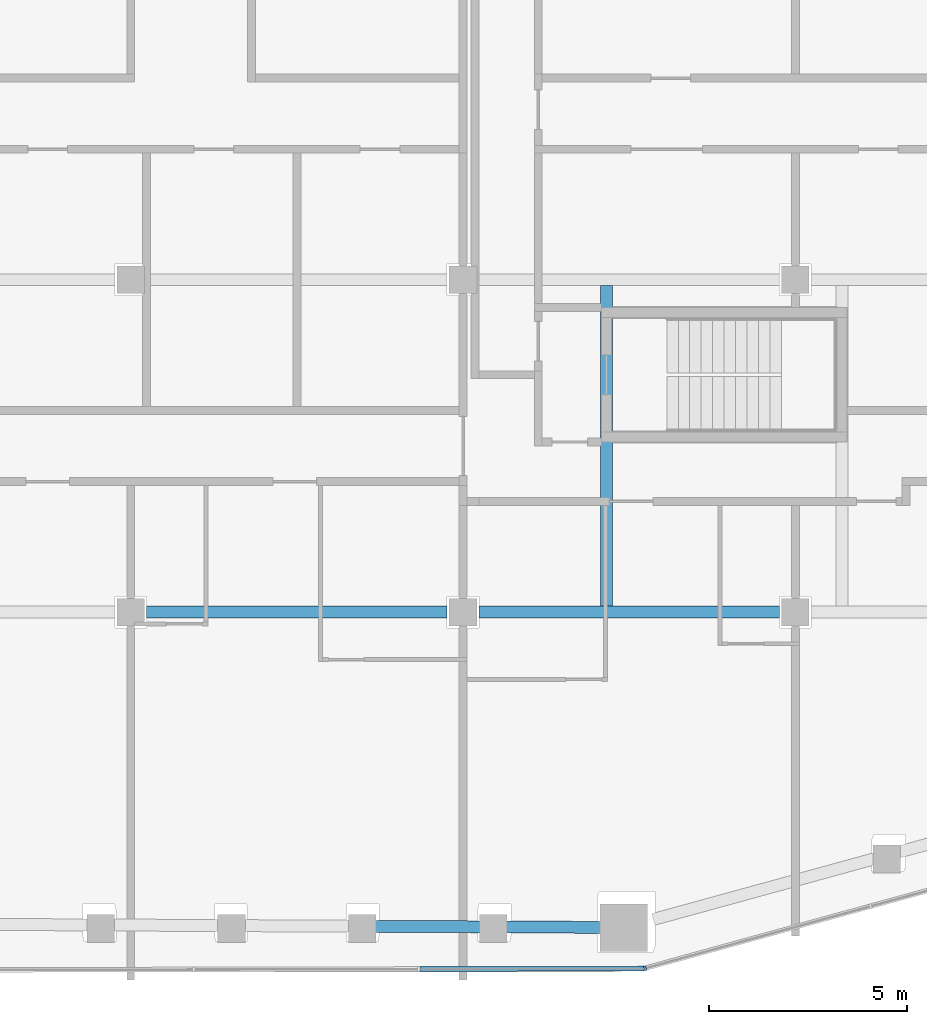
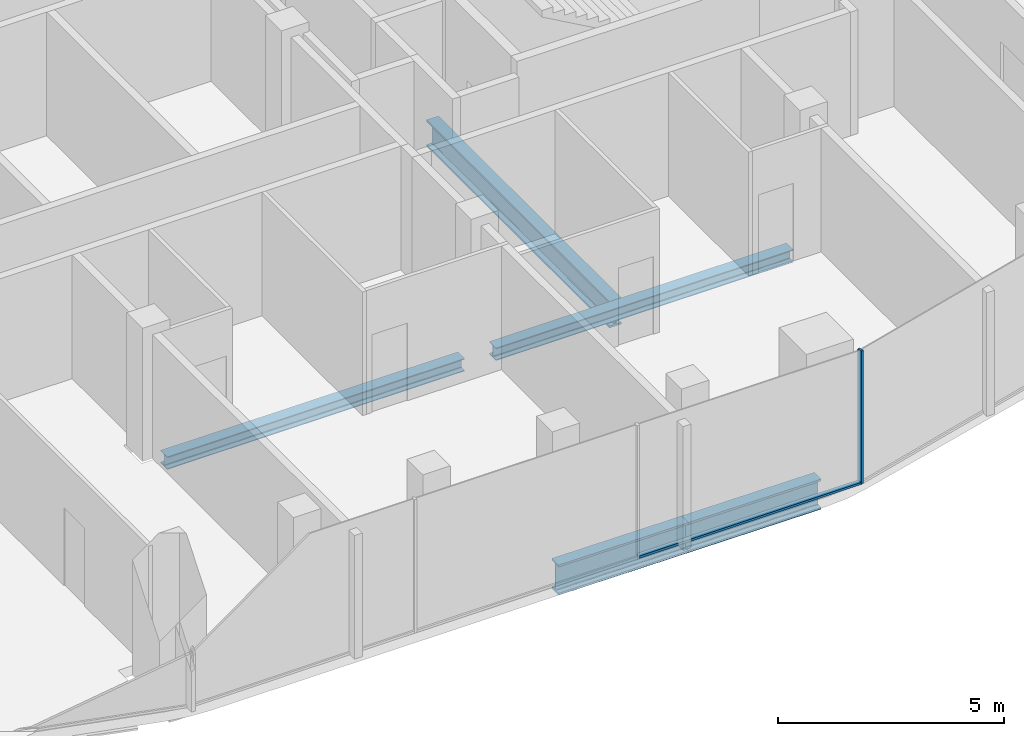
# One storey, part 3 of 21: 5 beams, 2 members, 2 elements without a shape of their own.
"""IFC4 building model written with IfcOpenShell, lengths in metres."""

from ifc_helpers import new_model, si_unit, direction, frame, origin, origin_2d, place, context, subcontext, project, spatial, rectangle, i_section, extrude, material, layer, layer_set, material_profile, profile_set, type_object, element, aggregate, save


model = new_model("IFC4")

# Units and contexts
model_context = context("Model", 3, precision=1e-05, world=origin(), true_north=direction((0.0, 1.0)))
body_context = subcontext(model_context, "Body", "Model", "MODEL_VIEW")
ifc_project = project(units=[si_unit("LENGTHUNIT", "METRE"), si_unit("AREAUNIT", "SQUARE_METRE"), si_unit("VOLUMEUNIT", "CUBIC_METRE"), si_unit("PLANEANGLEUNIT", "RADIAN"), si_unit("MASSUNIT", "GRAM", prefix="KILO")], contexts=[model_context])

# Site, building, storey
site_placement = place(None, origin())
site = spatial("IfcSite", under=ifc_project, at=site_placement, CompositionType="ELEMENT")
building_placement = place(site_placement, origin())
building = spatial("IfcBuilding", under=site, at=building_placement, Name="Marenta Gate Hotel Tower", CompositionType="ELEMENT")
storey_placement = place(building_placement, frame((0.0, 0.0, 266.89990234375)))
storey = spatial("IfcBuildingStorey", under=building, at=storey_placement, Name="L61", CompositionType="ELEMENT", Elevation=266.89990234375)

# Beams
ifc_material_1 = material(Name="Steel S355", Category="steel")
ifc_material_profile_1 = material_profile(ifc_material_1, i_section(OverallWidth=0.302978515625, OverallDepth=0.81396484375, WebThickness=0.030029296875, FlangeThickness=0.052001953125, FilletRadius=0.030029296875, at=origin_2d()), Name="HEM 800")
ifc_profile_set_1 = profile_set([ifc_material_profile_1], Name="Steel S355")
beam_type_1 = type_object("IfcBeamType", Name="Edge beam HEM 800", PredefinedType="SPANDREL", material=ifc_profile_set_1)
beam_1_placement = place(storey_placement, frame((8.306396484375, -33.1728515625, -0.6669921875), z_axis=(-0.999988677034, 0.004758760739, 0.0), x_axis=(-0.004758760739, -0.999988677034, 0.0)))
element("IfcBeam", 1, at=beam_1_placement, inside=storey, type_object=beam_type_1, Name="L61-EB-31", PredefinedType="SPANDREL", context=body_context, shape_type="SweptSolid", body=[
    extrude(i_section(OverallWidth=0.302978515625, OverallDepth=0.81396484375, WebThickness=0.030029296875, FlangeThickness=0.052001953125, FilletRadius=0.030029296875, at=origin_2d()), origin(), (0.0, 0.0, 1.0), 3.385986328125),
])
beam_2_placement = place(storey_placement, frame((5.000244140625, -33.156982421875, -0.6669921875), z_axis=(-0.999988680299, 0.004758074609, 0.0), x_axis=(-0.004758074609, -0.999988680299, 0.0)))
element("IfcBeam", 2, at=beam_2_placement, inside=storey, type_object=beam_type_1, Name="L61-EB-32", PredefinedType="SPANDREL", context=body_context, shape_type="SweptSolid", body=[
    extrude(i_section(OverallWidth=0.302978515625, OverallDepth=0.81396484375, WebThickness=0.030029296875, FlangeThickness=0.052001953125, FilletRadius=0.030029296875, at=origin_2d()), origin(), (0.0, 0.0, 1.0), 3.386474609375),
])
ifc_material_2 = material(Name="Steel S355", Category="steel")
ifc_material_profile_2 = material_profile(ifc_material_2, i_section(OverallWidth=0.300048828125, OverallDepth=0.340087890625, WebThickness=0.011962890625, FlangeThickness=0.021484375, FilletRadius=0.027099609375, at=origin_2d()), Name="HEB 340")
ifc_profile_set_2 = profile_set([ifc_material_profile_2], Name="Steel S355")
beam_type_2 = type_object("IfcBeamType", Name="Girder HEB 340", PredefinedType="BEAM", material=ifc_profile_set_2)
beam_3_placement = place(storey_placement, frame((-3.800048828125, -25.199951171875, -0.429931640625), z_axis=(1.0, 0.0, 0.0), x_axis=(0.0, 1.0, 0.0)))
element("IfcBeam", 3, at=beam_3_placement, inside=storey, type_object=beam_type_2, Name="L61-GD-4", PredefinedType="BEAM", context=body_context, shape_type="SweptSolid", body=[
    extrude(i_section(OverallWidth=0.300048828125, OverallDepth=0.340087890625, WebThickness=0.011962890625, FlangeThickness=0.021484375, FilletRadius=0.027099609375, at=origin_2d()), origin(), (0.0, 0.0, 1.0), 7.60009765625),
])
beam_4_placement = place(storey_placement, frame((4.60009765625, -25.199951171875, -0.429931640625), z_axis=(1.0, 0.0, 0.0), x_axis=(0.0, 1.0, 0.0)))
element("IfcBeam", 4, at=beam_4_placement, inside=storey, type_object=beam_type_2, Name="L61-GD-5", PredefinedType="BEAM", context=body_context, shape_type="SweptSolid", body=[
    extrude(i_section(OverallWidth=0.300048828125, OverallDepth=0.340087890625, WebThickness=0.011962890625, FlangeThickness=0.021484375, FilletRadius=0.027099609375, at=origin_2d()), origin(), (0.0, 0.0, 1.0), 7.599853515625),
])

# Curtain wall, member
ifc_material_3 = material(Name="Tinted insulated glass in bronze anodised frame", Category="glass")
ifc_layer = layer(ifc_material_3, 0.1201171875)
ifc_layer_set = layer_set([ifc_layer], Name="Tinted insulated glass in bronze anodised frame")
curtain_wall_type = type_object("IfcCurtainWallType", Name="Tower unitised curtain wall CW1", PredefinedType="NOTDEFINED", material=ifc_layer_set)
curtain_wall_1_placement = place(storey_placement, origin())
curtain_wall_1 = element("IfcCurtainWall", 5, at=curtain_wall_1_placement, inside=storey, type_object=curtain_wall_type, Name="CW1 run G08", PredefinedType="NOTDEFINED")
ifc_material_4 = material(Name="Bronze anodised aluminium", Category="aluminium")
ifc_material_profile_3 = material_profile(ifc_material_4, rectangle(XDim=0.1201171875, YDim=0.06005859375, at=origin_2d()), Name="Mullion CW1 60x120 bronze anodised aluminium")
ifc_profile_set_3 = profile_set([ifc_material_profile_3], Name="Bronze anodised aluminium")
member_type_1 = type_object("IfcMemberType", Name="Mullion CW1 60x120 bronze anodised aluminium", PredefinedType="MULLION", material=ifc_profile_set_3)
member_1_placement = place(storey_placement, frame((8.803955078125, -34.2041015625, 0.0), z_axis=(0.0, 0.0, 1.0), x_axis=(-0.265292115151, 0.964168083707, 0.0)))
member_1 = element("IfcMember", 6, at=member_1_placement, type_object=member_type_1, Name="CW1 mullion 1", PredefinedType="MULLION", context=body_context, shape_type="SweptSolid", body=[
    extrude(rectangle(XDim=0.1201171875, YDim=0.06005859375, at=origin_2d()), origin(), (0.0, 0.0, 1.0), 3.60009765625),
])
aggregate(curtain_wall_1, [member_1])

# Beam
ifc_material_5 = material(Name="Steel S355", Category="steel")
ifc_material_profile_4 = material_profile(ifc_material_5, i_section(OverallWidth=0.303955078125, OverallDepth=0.716064453125, WebThickness=0.027099609375, FlangeThickness=0.048095703125, FilletRadius=0.027099609375, at=origin_2d()), Name="HEM 700")
ifc_profile_set_4 = profile_set([ifc_material_profile_4], Name="Steel S355")
beam_type_3 = type_object("IfcBeamType", Name="Stair wall transfer beam HEM 700", PredefinedType="BEAM", material=ifc_profile_set_4)
beam_5_placement = place(storey_placement, frame((7.824951171875, -25.050048828125, -0.617919921875), z_axis=(0.0, 1.0, 0.0), x_axis=(-1.0, 0.0, 0.0)))
element("IfcBeam", 7, at=beam_5_placement, inside=storey, type_object=beam_type_3, Name="L61-XB-RS-Z4-1-a", PredefinedType="BEAM", context=body_context, shape_type="SweptSolid", body=[
    extrude(i_section(OverallWidth=0.303955078125, OverallDepth=0.716064453125, WebThickness=0.027099609375, FlangeThickness=0.048095703125, FilletRadius=0.027099609375, at=origin_2d()), origin(), (0.0, 0.0, 1.0), 8.10009765625),
])

# Curtain wall, member
curtain_wall_2_placement = place(storey_placement, origin())
curtain_wall_2 = element("IfcCurtainWall", 8, at=curtain_wall_2_placement, inside=storey, type_object=curtain_wall_type, Name="CW1 run G07", PredefinedType="NOTDEFINED")
ifc_material_6 = material(Name="Bronze anodised aluminium", Category="aluminium")
ifc_material_profile_5 = material_profile(ifc_material_6, rectangle(XDim=0.1201171875, YDim=0.06005859375, at=origin_2d()), Name="Transom CW1 60x120 bronze anodised aluminium")
ifc_profile_set_5 = profile_set([ifc_material_profile_5], Name="Bronze anodised aluminium")
member_type_2 = type_object("IfcMemberType", Name="Transom CW1 60x120 bronze anodised aluminium", PredefinedType="USERDEFINED", material=ifc_profile_set_5)
member_2_placement = place(storey_placement, frame((3.111328125, -34.223876953125, 0.030029296875), z_axis=(0.999997859513, 0.002069050272, 0.0), x_axis=(-0.002069050272, 0.999997859513, 0.0)))
member_2 = element("IfcMember", 9, at=member_2_placement, type_object=member_type_2, Name="CW1 transom 3.1", ObjectType="TRANSOM", PredefinedType="USERDEFINED", context=body_context, shape_type="SweptSolid", body=[
    extrude(rectangle(XDim=0.1201171875, YDim=0.06005859375, at=origin_2d()), origin(), (0.0, 0.0, 1.0), 5.663818359375),
])
aggregate(curtain_wall_2, [member_2])

save(model, "model.ifc")
